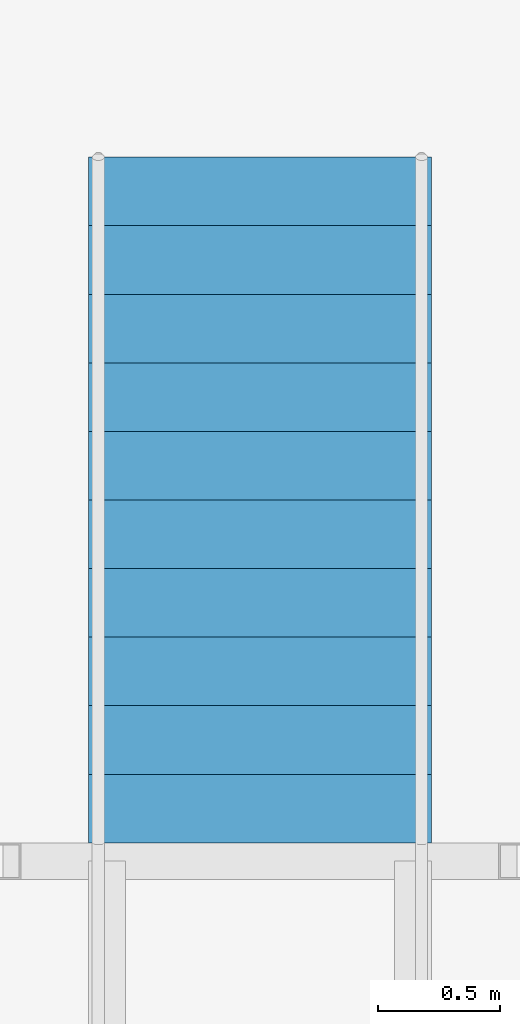
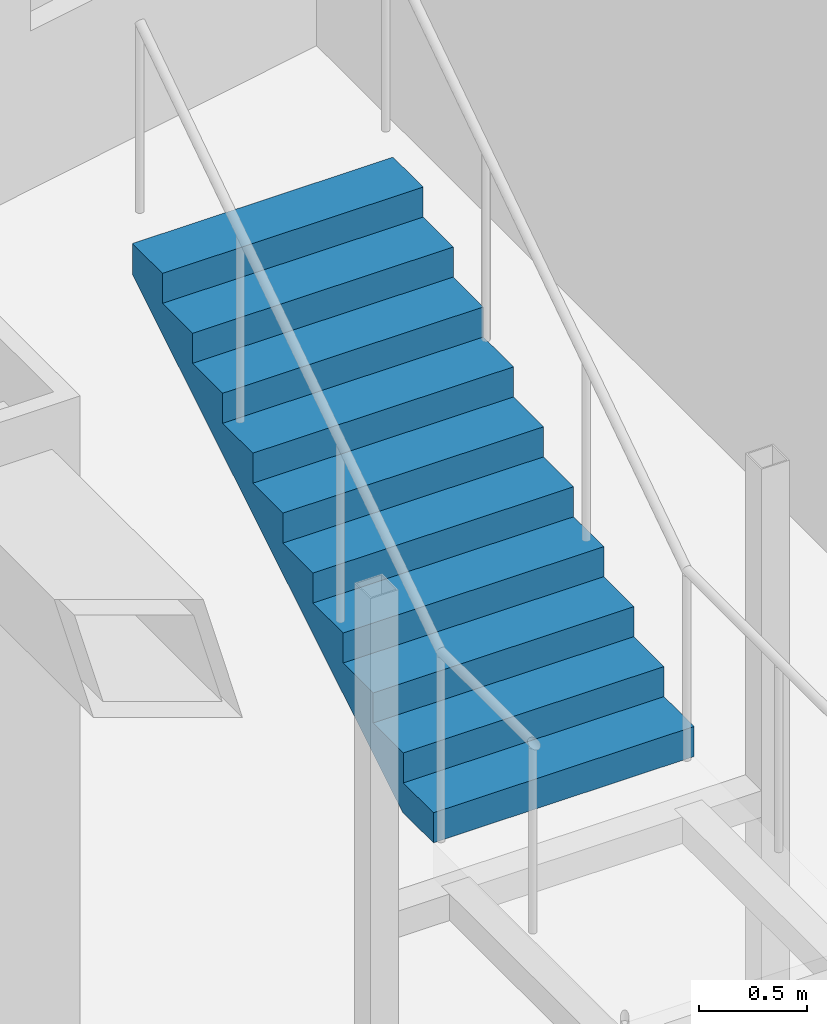
# One storey, part 25 of 26: 1 stair flight, 1 element without a shape of its own.
"""IFC4 building model written with IfcOpenShell, lengths in metres."""

from ifc_helpers import new_model, si_unit, direction, frame, origin, place, context, subcontext, project, spatial, triangles, material, type_object, element, aggregate, save


model = new_model("IFC4")

# Units and contexts
model_context = context("Model", 3, precision=1e-05, world=origin(), true_north=direction((0.0, 1.0)))
body_context = subcontext(model_context, "Body", "Model", "MODEL_VIEW")
ifc_project = project(units=[si_unit("LENGTHUNIT", "METRE"), si_unit("AREAUNIT", "SQUARE_METRE"), si_unit("VOLUMEUNIT", "CUBIC_METRE"), si_unit("PLANEANGLEUNIT", "RADIAN"), si_unit("MASSUNIT", "GRAM", prefix="KILO")], contexts=[model_context])

# Site, building, storey
site_placement = place(None, origin())
site = spatial("IfcSite", under=ifc_project, at=site_placement, CompositionType="ELEMENT")
building_placement = place(site_placement, origin())
building = spatial("IfcBuilding", under=site, at=building_placement, Name="Orbita Commons", CompositionType="ELEMENT")
storey_placement = place(building_placement, frame((0.0, 0.0, 53.949951171875)))
storey = spatial("IfcBuildingStorey", under=building, at=storey_placement, Name="L13", CompositionType="ELEMENT", Elevation=53.949951171875)

# Stair, stair flight
ifc_material_1 = material(Name="Steel ASTM A992 stringers, precast concrete C40/50 terrazzo treads", Category="concrete")
stair_type = type_object("IfcStairType", Name="Feature stair 22 risers 170 x 280 x 1400", PredefinedType="STRAIGHT_RUN_STAIR", material=ifc_material_1)
stair_placement = place(storey_placement, origin())
stair = element("IfcStair", 1, at=stair_placement, inside=storey, type_object=stair_type, Name="Neighbourhood stair L13 to L14", PredefinedType="STRAIGHT_RUN_STAIR")
ifc_material_2 = material(Name="Steel ASTM A992 stringers, precast concrete C40/50 terrazzo treads", Category="concrete")
stair_flight_type = type_object("IfcStairFlightType", Name="Feature stair flight 11 risers 170 x 1400", PredefinedType="STRAIGHT", material=ifc_material_2)
stair_flight_placement = place(storey_placement, frame((8.10009765625, 48.010009765625, 1.875), z_axis=(0.0, 0.0, 1.0), x_axis=(0.0, 1.0, 0.0)))
stair_flight = element("IfcStairFlight", 2, at=stair_flight_placement, type_object=stair_flight_type, Name="FS flight 2", NumberOfRisers=11, NumberOfTreads=10, PredefinedType="STRAIGHT", RiserHeight=0.170454545, TreadLength=0.28, context=body_context, shape_type="Tessellation", body=[
    triangles([(0.0, 0.699951, 0.0), (0.0, 0.699951, 0.021307), (0.0, 0.583293, 0.021307), (0.0, 0.583293, 0.0), (0.0, 0.466634, 0.021307), (0.0, 0.466634, 0.0), (0.0, 0.349976, 0.021307), (0.0, 0.349976, 0.0), (0.0, 0.233317, 0.021307), (0.0, 0.233317, 0.0), (0.0, 0.116659, 0.021307), (0.0, 0.116659, 0.0), (0.0, 0.0, 0.021307), (0.0, 0.0, 0.0), (0.0, -0.116659, 0.021307), (0.0, -0.116659, 0.0), (0.0, -0.233317, 0.021307), (0.0, -0.233317, 0.0), (0.0, -0.349976, 0.021307), (0.0, -0.349976, 0.0), (0.0, -0.466634, 0.021307), (0.0, -0.466634, 0.0), (0.0, -0.583293, 0.021307), (0.0, -0.583293, 0.0), (0.0, -0.699951, 0.021307), (0.0, -0.699951, 0.0), (0.0, 0.699951, 0.042614), (0.0, 0.583293, 0.042614), (0.0, 0.466634, 0.042614), (0.0, 0.349976, 0.042614), (0.0, 0.233317, 0.042614), (0.0, 0.116659, 0.042614), (0.0, 0.0, 0.042614), (0.0, -0.116659, 0.042614), (0.0, -0.233317, 0.042614), (0.0, -0.349976, 0.042614), (0.0, -0.466634, 0.042614), (0.0, -0.583293, 0.042614), (0.0, -0.699951, 0.042614), (0.0, 0.699951, 0.06392), (0.0, 0.583293, 0.06392), (0.0, 0.466634, 0.06392), (0.0, 0.349976, 0.06392), (0.0, 0.233317, 0.06392), (0.0, 0.116659, 0.06392), (0.0, 0.0, 0.06392), (0.0, -0.116659, 0.06392), (0.0, -0.233317, 0.06392), (0.0, -0.349976, 0.06392), (0.0, -0.466634, 0.06392), (0.0, -0.583293, 0.06392), (0.0, -0.699951, 0.06392), (0.0, 0.699951, 0.085227), (0.0, 0.583293, 0.085227), (0.0, 0.466634, 0.085227), (0.0, 0.349976, 0.085227), (0.0, 0.233317, 0.085227), (0.0, 0.116659, 0.085227), (0.0, 0.0, 0.085227), (0.0, -0.116659, 0.085227), (0.0, -0.233317, 0.085227), (0.0, -0.349976, 0.085227), (0.0, -0.466634, 0.085227), (0.0, -0.583293, 0.085227), (0.0, -0.699951, 0.085227), (0.0, 0.699951, 0.106534), (0.0, 0.583293, 0.106534), (0.0, 0.466634, 0.106534), (0.0, 0.349976, 0.106534), (0.0, 0.233317, 0.106534), (0.0, 0.116659, 0.106534), (0.0, 0.0, 0.106534), (0.0, -0.116659, 0.106534), (0.0, -0.233317, 0.106534), (0.0, -0.349976, 0.106534), (0.0, -0.466634, 0.106534), (0.0, -0.583293, 0.106534), (0.0, -0.699951, 0.106534), (0.0, 0.699951, 0.127841), (0.0, 0.583293, 0.127841), (0.0, 0.466634, 0.127841), (0.0, 0.349976, 0.127841), (0.0, 0.233317, 0.127841), (0.0, 0.116659, 0.127841), (0.0, 0.0, 0.127841), (0.0, -0.116659, 0.127841), (0.0, -0.233317, 0.127841), (0.0, -0.349976, 0.127841), (0.0, -0.466634, 0.127841), (0.0, -0.583293, 0.127841), (0.0, -0.699951, 0.127841), (0.0, 0.699951, 0.149148), (0.0, 0.583293, 0.149148), (0.0, 0.466634, 0.149148), (0.0, 0.349976, 0.149148), (0.0, 0.233317, 0.149148), (0.0, 0.116659, 0.149148), (0.0, 0.0, 0.149148), (0.0, -0.116659, 0.149148), (0.0, -0.233317, 0.149148), (0.0, -0.349976, 0.149148), (0.0, -0.466634, 0.149148), (0.0, -0.583293, 0.149148), (0.0, -0.699951, 0.149148), (0.0, 0.699951, 0.170455), (0.0, 0.583293, 0.170455), (0.0, 0.466634, 0.170455), (0.0, 0.349976, 0.170455), (0.0, 0.233317, 0.170455), (0.0, 0.116659, 0.170455), (0.0, 0.0, 0.170455), (0.0, -0.116659, 0.170455), (0.0, -0.233317, 0.170455), (0.0, -0.349976, 0.170455), (0.0, -0.466634, 0.170455), (0.0, -0.583293, 0.170455), (0.0, -0.699951, 0.170455), (0.28, 0.699951, 0.170455), (0.28, 0.583293, 0.170455), (0.28, 0.466634, 0.170455), (0.28, 0.349976, 0.170455), (0.28, 0.233317, 0.170455), (0.28, 0.116659, 0.170455), (0.28, 0.0, 0.170455), (0.28, -0.116659, 0.170455), (0.28, -0.233317, 0.170455), (0.28, -0.349976, 0.170455), (0.28, -0.466634, 0.170455), (0.28, -0.583293, 0.170455), (0.28, -0.699951, 0.170455), (0.28, 0.699951, 0.340909), (0.28, 0.583293, 0.340909), (0.28, 0.466634, 0.340909), (0.28, 0.349976, 0.340909), (0.28, 0.233317, 0.340909), (0.28, 0.116659, 0.340909), (0.28, 0.0, 0.340909), (0.28, -0.116659, 0.340909), (0.28, -0.233317, 0.340909), (0.28, -0.349976, 0.340909), (0.28, -0.466634, 0.340909), (0.28, -0.583293, 0.340909), (0.28, -0.699951, 0.340909), (0.56, 0.699951, 0.340909), (0.56, 0.583293, 0.340909), (0.56, 0.466634, 0.340909), (0.56, 0.349976, 0.340909), (0.56, 0.233317, 0.340909), (0.56, 0.116659, 0.340909), (0.56, 0.0, 0.340909), (0.56, -0.116659, 0.340909), (0.56, -0.233317, 0.340909), (0.56, -0.349976, 0.340909), (0.56, -0.466634, 0.340909), (0.56, -0.583293, 0.340909), (0.56, -0.699951, 0.340909), (0.56, 0.699951, 0.511364), (0.56, 0.583293, 0.511364), (0.56, 0.466634, 0.511364), (0.56, 0.349976, 0.511364), (0.56, 0.233317, 0.511364), (0.56, 0.116659, 0.511364), (0.56, 0.0, 0.511364), (0.56, -0.116659, 0.511364), (0.56, -0.233317, 0.511364), (0.56, -0.349976, 0.511364), (0.56, -0.466634, 0.511364), (0.56, -0.583293, 0.511364), (0.56, -0.699951, 0.511364), (0.84, 0.699951, 0.511364), (0.84, 0.583293, 0.511364), (0.84, 0.466634, 0.511364), (0.84, 0.349976, 0.511364), (0.84, 0.233317, 0.511364), (0.84, 0.116659, 0.511364), (0.84, 0.0, 0.511364), (0.84, -0.116659, 0.511364), (0.84, -0.233317, 0.511364), (0.84, -0.349976, 0.511364), (0.84, -0.466634, 0.511364), (0.84, -0.583293, 0.511364), (0.84, -0.699951, 0.511364), (0.84, 0.699951, 0.681818), (0.84, 0.583293, 0.681818), (0.84, 0.466634, 0.681818), (0.84, 0.349976, 0.681818), (0.84, 0.233317, 0.681818), (0.84, 0.116659, 0.681818), (0.84, 0.0, 0.681818), (0.84, -0.116659, 0.681818), (0.84, -0.233317, 0.681818), (0.84, -0.349976, 0.681818), (0.84, -0.466634, 0.681818), (0.84, -0.583293, 0.681818), (0.84, -0.699951, 0.681818), (1.12, 0.699951, 0.681818), (1.12, 0.583293, 0.681818), (1.12, 0.466634, 0.681818), (1.12, 0.349976, 0.681818), (1.12, 0.233317, 0.681818), (1.12, 0.116659, 0.681818), (1.12, 0.0, 0.681818), (1.12, -0.116659, 0.681818), (1.12, -0.233317, 0.681818), (1.12, -0.349976, 0.681818), (1.12, -0.466634, 0.681818), (1.12, -0.583293, 0.681818), (1.12, -0.699951, 0.681818), (1.12, 0.699951, 0.852273), (1.12, 0.583293, 0.852273), (1.12, 0.466634, 0.852273), (1.12, 0.349976, 0.852273), (1.12, 0.233317, 0.852273), (1.12, 0.116659, 0.852273), (1.12, 0.0, 0.852273), (1.12, -0.116659, 0.852273), (1.12, -0.233317, 0.852273), (1.12, -0.349976, 0.852273), (1.12, -0.466634, 0.852273), (1.12, -0.583293, 0.852273), (1.12, -0.699951, 0.852273), (1.4, 0.699951, 0.852273), (1.4, 0.583293, 0.852273), (1.4, 0.466634, 0.852273), (1.4, 0.349976, 0.852273), (1.4, 0.233317, 0.852273), (1.4, 0.116659, 0.852273), (1.4, 0.0, 0.852273), (1.4, -0.116659, 0.852273), (1.4, -0.233317, 0.852273), (1.4, -0.349976, 0.852273), (1.4, -0.466634, 0.852273), (1.4, -0.583293, 0.852273), (1.4, -0.699951, 0.852273), (1.4, 0.699951, 1.022727), (1.4, 0.583293, 1.022727), (1.4, 0.466634, 1.022727), (1.4, 0.349976, 1.022727), (1.4, 0.233317, 1.022727), (1.4, 0.116659, 1.022727), (1.4, 0.0, 1.022727), (1.4, -0.116659, 1.022727), (1.4, -0.233317, 1.022727), (1.4, -0.349976, 1.022727), (1.4, -0.466634, 1.022727), (1.4, -0.583293, 1.022727), (1.4, -0.699951, 1.022727), (1.68, 0.699951, 1.022727), (1.68, 0.583293, 1.022727), (1.68, 0.466634, 1.022727), (1.68, 0.349976, 1.022727), (1.68, 0.233317, 1.022727), (1.68, 0.116659, 1.022727), (1.68, 0.0, 1.022727), (1.68, -0.116659, 1.022727), (1.68, -0.233317, 1.022727), (1.68, -0.349976, 1.022727), (1.68, -0.466634, 1.022727), (1.68, -0.583293, 1.022727), (1.68, -0.699951, 1.022727), (1.68, 0.699951, 1.193182), (1.68, 0.583293, 1.193182), (1.68, 0.466634, 1.193182), (1.68, 0.349976, 1.193182), (1.68, 0.233317, 1.193182), (1.68, 0.116659, 1.193182), (1.68, 0.0, 1.193182), (1.68, -0.116659, 1.193182), (1.68, -0.233317, 1.193182), (1.68, -0.349976, 1.193182), (1.68, -0.466634, 1.193182), (1.68, -0.583293, 1.193182), (1.68, -0.699951, 1.193182), (1.96, 0.699951, 1.193182), (1.96, 0.583293, 1.193182), (1.96, 0.466634, 1.193182), (1.96, 0.349976, 1.193182), (1.96, 0.233317, 1.193182), (1.96, 0.116659, 1.193182), (1.96, 0.0, 1.193182), (1.96, -0.116659, 1.193182), (1.96, -0.233317, 1.193182), (1.96, -0.349976, 1.193182), (1.96, -0.466634, 1.193182), (1.96, -0.583293, 1.193182), (1.96, -0.699951, 1.193182), (1.96, 0.699951, 1.363636), (1.96, 0.583293, 1.363636), (1.96, 0.466634, 1.363636), (1.96, 0.349976, 1.363636), (1.96, 0.233317, 1.363636), (1.96, 0.116659, 1.363636), (1.96, 0.0, 1.363636), (1.96, -0.116659, 1.363636), (1.96, -0.233317, 1.363636), (1.96, -0.349976, 1.363636), (1.96, -0.466634, 1.363636), (1.96, -0.583293, 1.363636), (1.96, -0.699951, 1.363636), (2.24, 0.699951, 1.363636), (2.24, 0.583293, 1.363636), (2.24, 0.466634, 1.363636), (2.24, 0.349976, 1.363636), (2.24, 0.233317, 1.363636), (2.24, 0.116659, 1.363636), (2.24, 0.0, 1.363636), (2.24, -0.116659, 1.363636), (2.24, -0.233317, 1.363636), (2.24, -0.349976, 1.363636), (2.24, -0.466634, 1.363636), (2.24, -0.583293, 1.363636), (2.24, -0.699951, 1.363636), (2.24, 0.699951, 1.534091), (2.24, 0.583293, 1.534091), (2.24, 0.466634, 1.534091), (2.24, 0.349976, 1.534091), (2.24, 0.233317, 1.534091), (2.24, 0.116659, 1.534091), (2.24, 0.0, 1.534091), (2.24, -0.116659, 1.534091), (2.24, -0.233317, 1.534091), (2.24, -0.349976, 1.534091), (2.24, -0.466634, 1.534091), (2.24, -0.583293, 1.534091), (2.24, -0.699951, 1.534091), (2.52, 0.699951, 1.534091), (2.52, 0.583293, 1.534091), (2.52, 0.466634, 1.534091), (2.52, 0.349976, 1.534091), (2.52, 0.233317, 1.534091), (2.52, 0.116659, 1.534091), (2.52, 0.0, 1.534091), (2.52, -0.116659, 1.534091), (2.52, -0.233317, 1.534091), (2.52, -0.349976, 1.534091), (2.52, -0.466634, 1.534091), (2.52, -0.583293, 1.534091), (2.52, -0.699951, 1.534091), (2.52, 0.699951, 1.704545), (2.52, 0.583293, 1.704545), (2.52, 0.466634, 1.704545), (2.52, 0.349976, 1.704545), (2.52, 0.233317, 1.704545), (2.52, 0.116659, 1.704545), (2.52, 0.0, 1.704545), (2.52, -0.116659, 1.704545), (2.52, -0.233317, 1.704545), (2.52, -0.349976, 1.704545), (2.52, -0.466634, 1.704545), (2.52, -0.583293, 1.704545), (2.52, -0.699951, 1.704545), (2.8, 0.699951, 1.704545), (2.8, 0.583293, 1.704545), (2.8, 0.466634, 1.704545), (2.8, 0.349976, 1.704545), (2.8, 0.233317, 1.704545), (2.8, 0.116659, 1.704545), (2.8, 0.0, 1.704545), (2.8, -0.116659, 1.704545), (2.8, -0.233317, 1.704545), (2.8, -0.349976, 1.704545), (2.8, -0.466634, 1.704545), (2.8, -0.583293, 1.704545), (2.8, -0.699951, 1.704545), (2.8, 0.699951, 1.682609), (2.8, 0.583293, 1.682609), (2.8, 0.466634, 1.682609), (2.8, 0.349976, 1.682609), (2.8, 0.233317, 1.682609), (2.8, 0.116659, 1.682609), (2.8, 0.0, 1.682609), (2.8, -0.116659, 1.682609), (2.8, -0.233317, 1.682609), (2.8, -0.349976, 1.682609), (2.8, -0.466634, 1.682609), (2.8, -0.583293, 1.682609), (2.8, -0.699951, 1.682609), (2.8, 0.699951, 1.660672), (2.8, 0.583293, 1.660672), (2.8, 0.466634, 1.660672), (2.8, 0.349976, 1.660672), (2.8, 0.233317, 1.660672), (2.8, 0.116659, 1.660672), (2.8, 0.0, 1.660672), (2.8, -0.116659, 1.660672), (2.8, -0.233317, 1.660672), (2.8, -0.349976, 1.660672), (2.8, -0.466634, 1.660672), (2.8, -0.583293, 1.660672), (2.8, -0.699951, 1.660672), (2.8, 0.699951, 1.638735), (2.8, 0.583293, 1.638735), (2.8, 0.466634, 1.638735), (2.8, 0.349976, 1.638735), (2.8, 0.233317, 1.638735), (2.8, 0.116659, 1.638735), (2.8, 0.0, 1.638735), (2.8, -0.116659, 1.638735), (2.8, -0.233317, 1.638735), (2.8, -0.349976, 1.638735), (2.8, -0.466634, 1.638735), (2.8, -0.583293, 1.638735), (2.8, -0.699951, 1.638735), (2.8, 0.699951, 1.616798), (2.8, 0.583293, 1.616798), (2.8, 0.466634, 1.616798), (2.8, 0.349976, 1.616798), (2.8, 0.233317, 1.616798), (2.8, 0.116659, 1.616798), (2.8, 0.0, 1.616798), (2.8, -0.116659, 1.616798), (2.8, -0.233317, 1.616798), (2.8, -0.349976, 1.616798), (2.8, -0.466634, 1.616798), (2.8, -0.583293, 1.616798), (2.8, -0.699951, 1.616798), (2.8, 0.699951, 1.594861), (2.8, 0.583293, 1.594861), (2.8, 0.466634, 1.594861), (2.8, 0.349976, 1.594861), (2.8, 0.233317, 1.594861), (2.8, 0.116659, 1.594861), (2.8, 0.0, 1.594861), (2.8, -0.116659, 1.594861), (2.8, -0.233317, 1.594861), (2.8, -0.349976, 1.594861), (2.8, -0.466634, 1.594861), (2.8, -0.583293, 1.594861), (2.8, -0.699951, 1.594861), (2.8, 0.699951, 1.572925), (2.8, 0.583293, 1.572925), (2.8, 0.466634, 1.572925), (2.8, 0.349976, 1.572925), (2.8, 0.233317, 1.572925), (2.8, 0.116659, 1.572925), (2.8, 0.0, 1.572925), (2.8, -0.116659, 1.572925), (2.8, -0.233317, 1.572925), (2.8, -0.349976, 1.572925), (2.8, -0.466634, 1.572925), (2.8, -0.583293, 1.572925), (2.8, -0.699951, 1.572925), (2.8, 0.699951, 1.550988), (2.8, 0.583293, 1.550988), (2.8, 0.466634, 1.550988), (2.8, 0.349976, 1.550988), (2.8, 0.233317, 1.550988), (2.8, 0.116659, 1.550988), (2.8, 0.0, 1.550988), (2.8, -0.116659, 1.550988), (2.8, -0.233317, 1.550988), (2.8, -0.349976, 1.550988), (2.8, -0.466634, 1.550988), (2.8, -0.583293, 1.550988), (2.8, -0.699951, 1.550988), (2.8, 0.699951, 1.529051), (2.8, 0.583293, 1.529051), (2.8, 0.466634, 1.529051), (2.8, 0.349976, 1.529051), (2.8, 0.233317, 1.529051), (2.8, 0.116659, 1.529051), (2.8, 0.0, 1.529051), (2.8, -0.116659, 1.529051), (2.8, -0.233317, 1.529051), (2.8, -0.349976, 1.529051), (2.8, -0.466634, 1.529051), (2.8, -0.583293, 1.529051), (2.8, -0.699951, 1.529051), (0.288279, 0.699951, 0.0), (0.288279, 0.583293, 0.0), (0.288279, 0.466634, 0.0), (0.288279, 0.349976, 0.0), (0.288279, 0.233317, 0.0), (0.288279, 0.116659, 0.0), (0.288279, 0.0, 0.0), (0.288279, -0.116659, 0.0), (0.288279, -0.233317, 0.0), (0.288279, -0.349976, 0.0), (0.288279, -0.466634, 0.0), (0.288279, -0.583293, 0.0), (0.288279, -0.699951, 0.0)], [[3, 2, 1], [4, 3, 1], [5, 3, 4], [6, 5, 4], [7, 5, 6], [8, 7, 6], [9, 7, 8], [10, 9, 8], [11, 9, 10], [12, 11, 10], [13, 11, 12], [14, 13, 12], [15, 13, 14], [16, 15, 14], [17, 15, 16], [18, 17, 16], [19, 17, 18], [20, 19, 18], [21, 19, 20], [22, 21, 20], [23, 21, 22], [24, 23, 22], [25, 23, 24], [26, 25, 24], [28, 27, 2], [3, 28, 2], [29, 28, 3], [5, 29, 3], [30, 29, 5], [7, 30, 5], [31, 30, 7], [9, 31, 7], [32, 31, 9], [11, 32, 9], [33, 32, 11], [13, 33, 11], [34, 33, 13], [15, 34, 13], [35, 34, 15], [17, 35, 15], [36, 35, 17], [19, 36, 17], [37, 36, 19], [21, 37, 19], [38, 37, 21], [23, 38, 21], [39, 38, 23], [25, 39, 23], [41, 40, 27], [28, 41, 27], [42, 41, 28], [29, 42, 28], [43, 42, 29], [30, 43, 29], [44, 43, 30], [31, 44, 30], [45, 44, 31], [32, 45, 31], [46, 45, 32], [33, 46, 32], [47, 46, 33], [34, 47, 33], [48, 47, 34], [35, 48, 34], [49, 48, 35], [36, 49, 35], [50, 49, 36], [37, 50, 36], [51, 50, 37], [38, 51, 37], [52, 51, 38], [39, 52, 38], [54, 53, 40], [41, 54, 40], [55, 54, 41], [42, 55, 41], [56, 55, 42], [43, 56, 42], [57, 56, 43], [44, 57, 43], [58, 57, 44], [45, 58, 44], [59, 58, 45], [46, 59, 45], [60, 59, 46], [47, 60, 46], [61, 60, 47], [48, 61, 47], [62, 61, 48], [49, 62, 48], [63, 62, 49], [50, 63, 49], [64, 63, 50], [51, 64, 50], [65, 64, 51], [52, 65, 51], [67, 66, 53], [54, 67, 53], [68, 67, 54], [55, 68, 54], [69, 68, 55], [56, 69, 55], [70, 69, 56], [57, 70, 56], [71, 70, 57], [58, 71, 57], [72, 71, 58], [59, 72, 58], [73, 72, 59], [60, 73, 59], [74, 73, 60], [61, 74, 60], [75, 74, 61], [62, 75, 61], [76, 75, 62], [63, 76, 62], [77, 76, 63], [64, 77, 63], [78, 77, 64], [65, 78, 64], [80, 79, 66], [67, 80, 66], [81, 80, 67], [68, 81, 67], [82, 81, 68], [69, 82, 68], [83, 82, 69], [70, 83, 69], [84, 83, 70], [71, 84, 70], [85, 84, 71], [72, 85, 71], [86, 85, 72], [73, 86, 72], [87, 86, 73], [74, 87, 73], [88, 87, 74], [75, 88, 74], [89, 88, 75], [76, 89, 75], [90, 89, 76], [77, 90, 76], [91, 90, 77], [78, 91, 77], [93, 92, 79], [80, 93, 79], [94, 93, 80], [81, 94, 80], [95, 94, 81], [82, 95, 81], [96, 95, 82], [83, 96, 82], [97, 96, 83], [84, 97, 83], [98, 97, 84], [85, 98, 84], [99, 98, 85], [86, 99, 85], [100, 99, 86], [87, 100, 86], [101, 100, 87], [88, 101, 87], [102, 101, 88], [89, 102, 88], [103, 102, 89], [90, 103, 89], [104, 103, 90], [91, 104, 90], [106, 105, 92], [93, 106, 92], [107, 106, 93], [94, 107, 93], [108, 107, 94], [95, 108, 94], [109, 108, 95], [96, 109, 95], [110, 109, 96], [97, 110, 96], [111, 110, 97], [98, 111, 97], [112, 111, 98], [99, 112, 98], [113, 112, 99], [100, 113, 99], [114, 113, 100], [101, 114, 100], [115, 114, 101], [102, 115, 101], [116, 115, 102], [103, 116, 102], [117, 116, 103], [104, 117, 103], [119, 118, 105], [106, 119, 105], [120, 119, 106], [107, 120, 106], [121, 120, 107], [108, 121, 107], [122, 121, 108], [109, 122, 108], [123, 122, 109], [110, 123, 109], [124, 123, 110], [111, 124, 110], [125, 124, 111], [112, 125, 111], [126, 125, 112], [113, 126, 112], [127, 126, 113], [114, 127, 113], [128, 127, 114], [115, 128, 114], [129, 128, 115], [116, 129, 115], [130, 129, 116], [117, 130, 116], [132, 131, 118], [119, 132, 118], [133, 132, 119], [120, 133, 119], [134, 133, 120], [121, 134, 120], [135, 134, 121], [122, 135, 121], [136, 135, 122], [123, 136, 122], [137, 136, 123], [124, 137, 123], [138, 137, 124], [125, 138, 124], [139, 138, 125], [126, 139, 125], [140, 139, 126], [127, 140, 126], [141, 140, 127], [128, 141, 127], [142, 141, 128], [129, 142, 128], [143, 142, 129], [130, 143, 129], [145, 144, 131], [132, 145, 131], [146, 145, 132], [133, 146, 132], [147, 146, 133], [134, 147, 133], [148, 147, 134], [135, 148, 134], [149, 148, 135], [136, 149, 135], [150, 149, 136], [137, 150, 136], [151, 150, 137], [138, 151, 137], [152, 151, 138], [139, 152, 138], [153, 152, 139], [140, 153, 139], [154, 153, 140], [141, 154, 140], [155, 154, 141], [142, 155, 141], [156, 155, 142], [143, 156, 142], [158, 157, 144], [145, 158, 144], [159, 158, 145], [146, 159, 145], [160, 159, 146], [147, 160, 146], [161, 160, 147], [148, 161, 147], [162, 161, 148], [149, 162, 148], [163, 162, 149], [150, 163, 149], [164, 163, 150], [151, 164, 150], [165, 164, 151], [152, 165, 151], [166, 165, 152], [153, 166, 152], [167, 166, 153], [154, 167, 153], [168, 167, 154], [155, 168, 154], [169, 168, 155], [156, 169, 155], [171, 170, 157], [158, 171, 157], [172, 171, 158], [159, 172, 158], [173, 172, 159], [160, 173, 159], [174, 173, 160], [161, 174, 160], [175, 174, 161], [162, 175, 161], [176, 175, 162], [163, 176, 162], [177, 176, 163], [164, 177, 163], [178, 177, 164], [165, 178, 164], [179, 178, 165], [166, 179, 165], [180, 179, 166], [167, 180, 166], [181, 180, 167], [168, 181, 167], [182, 181, 168], [169, 182, 168], [184, 183, 170], [171, 184, 170], [185, 184, 171], [172, 185, 171], [186, 185, 172], [173, 186, 172], [187, 186, 173], [174, 187, 173], [188, 187, 174], [175, 188, 174], [189, 188, 175], [176, 189, 175], [190, 189, 176], [177, 190, 176], [191, 190, 177], [178, 191, 177], [192, 191, 178], [179, 192, 178], [193, 192, 179], [180, 193, 179], [194, 193, 180], [181, 194, 180], [195, 194, 181], [182, 195, 181], [197, 196, 183], [184, 197, 183], [198, 197, 184], [185, 198, 184], [199, 198, 185], [186, 199, 185], [200, 199, 186], [187, 200, 186], [201, 200, 187], [188, 201, 187], [202, 201, 188], [189, 202, 188], [203, 202, 189], [190, 203, 189], [204, 203, 190], [191, 204, 190], [205, 204, 191], [192, 205, 191], [206, 205, 192], [193, 206, 192], [207, 206, 193], [194, 207, 193], [208, 207, 194], [195, 208, 194], [210, 209, 196], [197, 210, 196], [211, 210, 197], [198, 211, 197], [212, 211, 198], [199, 212, 198], [213, 212, 199], [200, 213, 199], [214, 213, 200], [201, 214, 200], [215, 214, 201], [202, 215, 201], [216, 215, 202], [203, 216, 202], [217, 216, 203], [204, 217, 203], [218, 217, 204], [205, 218, 204], [219, 218, 205], [206, 219, 205], [220, 219, 206], [207, 220, 206], [221, 220, 207], [208, 221, 207], [223, 222, 209], [210, 223, 209], [224, 223, 210], [211, 224, 210], [225, 224, 211], [212, 225, 211], [226, 225, 212], [213, 226, 212], [227, 226, 213], [214, 227, 213], [228, 227, 214], [215, 228, 214], [229, 228, 215], [216, 229, 215], [230, 229, 216], [217, 230, 216], [231, 230, 217], [218, 231, 217], [232, 231, 218], [219, 232, 218], [233, 232, 219], [220, 233, 219], [234, 233, 220], [221, 234, 220], [236, 235, 222], [223, 236, 222], [237, 236, 223], [224, 237, 223], [238, 237, 224], [225, 238, 224], [239, 238, 225], [226, 239, 225], [240, 239, 226], [227, 240, 226], [241, 240, 227], [228, 241, 227], [242, 241, 228], [229, 242, 228], [243, 242, 229], [230, 243, 229], [244, 243, 230], [231, 244, 230], [245, 244, 231], [232, 245, 231], [246, 245, 232], [233, 246, 232], [247, 246, 233], [234, 247, 233], [249, 248, 235], [236, 249, 235], [250, 249, 236], [237, 250, 236], [251, 250, 237], [238, 251, 237], [252, 251, 238], [239, 252, 238], [253, 252, 239], [240, 253, 239], [254, 253, 240], [241, 254, 240], [255, 254, 241], [242, 255, 241], [256, 255, 242], [243, 256, 242], [257, 256, 243], [244, 257, 243], [258, 257, 244], [245, 258, 244], [259, 258, 245], [246, 259, 245], [260, 259, 246], [247, 260, 246], [262, 261, 248], [249, 262, 248], [263, 262, 249], [250, 263, 249], [264, 263, 250], [251, 264, 250], [265, 264, 251], [252, 265, 251], [266, 265, 252], [253, 266, 252], [267, 266, 253], [254, 267, 253], [268, 267, 254], [255, 268, 254], [269, 268, 255], [256, 269, 255], [270, 269, 256], [257, 270, 256], [271, 270, 257], [258, 271, 257], [272, 271, 258], [259, 272, 258], [273, 272, 259], [260, 273, 259], [275, 274, 261], [262, 275, 261], [276, 275, 262], [263, 276, 262], [277, 276, 263], [264, 277, 263], [278, 277, 264], [265, 278, 264], [279, 278, 265], [266, 279, 265], [280, 279, 266], [267, 280, 266], [281, 280, 267], [268, 281, 267], [282, 281, 268], [269, 282, 268], [283, 282, 269], [270, 283, 269], [284, 283, 270], [271, 284, 270], [285, 284, 271], [272, 285, 271], [286, 285, 272], [273, 286, 272], [288, 287, 274], [275, 288, 274], [289, 288, 275], [276, 289, 275], [290, 289, 276], [277, 290, 276], [291, 290, 277], [278, 291, 277], [292, 291, 278], [279, 292, 278], [293, 292, 279], [280, 293, 279], [294, 293, 280], [281, 294, 280], [295, 294, 281], [282, 295, 281], [296, 295, 282], [283, 296, 282], [297, 296, 283], [284, 297, 283], [298, 297, 284], [285, 298, 284], [299, 298, 285], [286, 299, 285], [301, 300, 287], [288, 301, 287], [302, 301, 288], [289, 302, 288], [303, 302, 289], [290, 303, 289], [304, 303, 290], [291, 304, 290], [305, 304, 291], [292, 305, 291], [306, 305, 292], [293, 306, 292], [307, 306, 293], [294, 307, 293], [308, 307, 294], [295, 308, 294], [309, 308, 295], [296, 309, 295], [310, 309, 296], [297, 310, 296], [311, 310, 297], [298, 311, 297], [312, 311, 298], [299, 312, 298], [314, 313, 300], [301, 314, 300], [315, 314, 301], [302, 315, 301], [316, 315, 302], [303, 316, 302], [317, 316, 303], [304, 317, 303], [318, 317, 304], [305, 318, 304], [319, 318, 305], [306, 319, 305], [320, 319, 306], [307, 320, 306], [321, 320, 307], [308, 321, 307], [322, 321, 308], [309, 322, 308], [323, 322, 309], [310, 323, 309], [324, 323, 310], [311, 324, 310], [325, 324, 311], [312, 325, 311], [327, 326, 313], [314, 327, 313], [328, 327, 314], [315, 328, 314], [329, 328, 315], [316, 329, 315], [330, 329, 316], [317, 330, 316], [331, 330, 317], [318, 331, 317], [332, 331, 318], [319, 332, 318], [333, 332, 319], [320, 333, 319], [334, 333, 320], [321, 334, 320], [335, 334, 321], [322, 335, 321], [336, 335, 322], [323, 336, 322], [337, 336, 323], [324, 337, 323], [338, 337, 324], [325, 338, 324], [340, 339, 326], [327, 340, 326], [341, 340, 327], [328, 341, 327], [342, 341, 328], [329, 342, 328], [343, 342, 329], [330, 343, 329], [344, 343, 330], [331, 344, 330], [345, 344, 331], [332, 345, 331], [346, 345, 332], [333, 346, 332], [347, 346, 333], [334, 347, 333], [348, 347, 334], [335, 348, 334], [349, 348, 335], [336, 349, 335], [350, 349, 336], [337, 350, 336], [351, 350, 337], [338, 351, 337], [353, 352, 339], [340, 353, 339], [354, 353, 340], [341, 354, 340], [355, 354, 341], [342, 355, 341], [356, 355, 342], [343, 356, 342], [357, 356, 343], [344, 357, 343], [358, 357, 344], [345, 358, 344], [359, 358, 345], [346, 359, 345], [360, 359, 346], [347, 360, 346], [361, 360, 347], [348, 361, 347], [362, 361, 348], [349, 362, 348], [363, 362, 349], [350, 363, 349], [364, 363, 350], [351, 364, 350], [366, 365, 352], [353, 366, 352], [367, 366, 353], [354, 367, 353], [368, 367, 354], [355, 368, 354], [369, 368, 355], [356, 369, 355], [370, 369, 356], [357, 370, 356], [371, 370, 357], [358, 371, 357], [372, 371, 358], [359, 372, 358], [373, 372, 359], [360, 373, 359], [374, 373, 360], [361, 374, 360], [375, 374, 361], [362, 375, 361], [376, 375, 362], [363, 376, 362], [377, 376, 363], [364, 377, 363], [379, 378, 365], [366, 379, 365], [380, 379, 366], [367, 380, 366], [381, 380, 367], [368, 381, 367], [382, 381, 368], [369, 382, 368], [383, 382, 369], [370, 383, 369], [384, 383, 370], [371, 384, 370], [385, 384, 371], [372, 385, 371], [386, 385, 372], [373, 386, 372], [387, 386, 373], [374, 387, 373], [388, 387, 374], [375, 388, 374], [389, 388, 375], [376, 389, 375], [390, 389, 376], [377, 390, 376], [392, 391, 378], [379, 392, 378], [393, 392, 379], [380, 393, 379], [394, 393, 380], [381, 394, 380], [395, 394, 381], [382, 395, 381], [396, 395, 382], [383, 396, 382], [397, 396, 383], [384, 397, 383], [398, 397, 384], [385, 398, 384], [399, 398, 385], [386, 399, 385], [400, 399, 386], [387, 400, 386], [401, 400, 387], [388, 401, 387], [402, 401, 388], [389, 402, 388], [403, 402, 389], [390, 403, 389], [405, 404, 391], [392, 405, 391], [406, 405, 392], [393, 406, 392], [407, 406, 393], [394, 407, 393], [408, 407, 394], [395, 408, 394], [409, 408, 395], [396, 409, 395], [410, 409, 396], [397, 410, 396], [411, 410, 397], [398, 411, 397], [412, 411, 398], [399, 412, 398], [413, 412, 399], [400, 413, 399], [414, 413, 400], [401, 414, 400], [415, 414, 401], [402, 415, 401], [416, 415, 402], [403, 416, 402], [418, 417, 404], [405, 418, 404], [419, 418, 405], [406, 419, 405], [420, 419, 406], [407, 420, 406], [421, 420, 407], [408, 421, 407], [422, 421, 408], [409, 422, 408], [423, 422, 409], [410, 423, 409], [424, 423, 410], [411, 424, 410], [425, 424, 411], [412, 425, 411], [426, 425, 412], [413, 426, 412], [427, 426, 413], [414, 427, 413], [428, 427, 414], [415, 428, 414], [429, 428, 415], [416, 429, 415], [431, 430, 417], [418, 431, 417], [432, 431, 418], [419, 432, 418], [433, 432, 419], [420, 433, 419], [434, 433, 420], [421, 434, 420], [435, 434, 421], [422, 435, 421], [436, 435, 422], [423, 436, 422], [437, 436, 423], [424, 437, 423], [438, 437, 424], [425, 438, 424], [439, 438, 425], [426, 439, 425], [440, 439, 426], [427, 440, 426], [441, 440, 427], [428, 441, 427], [442, 441, 428], [429, 442, 428], [444, 443, 430], [431, 444, 430], [445, 444, 431], [432, 445, 431], [446, 445, 432], [433, 446, 432], [447, 446, 433], [434, 447, 433], [448, 447, 434], [435, 448, 434], [449, 448, 435], [436, 449, 435], [450, 449, 436], [437, 450, 436], [451, 450, 437], [438, 451, 437], [452, 451, 438], [439, 452, 438], [453, 452, 439], [440, 453, 439], [454, 453, 440], [441, 454, 440], [455, 454, 441], [442, 455, 441], [457, 456, 443], [444, 457, 443], [458, 457, 444], [445, 458, 444], [459, 458, 445], [446, 459, 445], [460, 459, 446], [447, 460, 446], [461, 460, 447], [448, 461, 447], [462, 461, 448], [449, 462, 448], [463, 462, 449], [450, 463, 449], [464, 463, 450], [451, 464, 450], [465, 464, 451], [452, 465, 451], [466, 465, 452], [453, 466, 452], [467, 466, 453], [454, 467, 453], [468, 467, 454], [455, 468, 454], [470, 469, 456], [457, 470, 456], [471, 470, 457], [458, 471, 457], [472, 471, 458], [459, 472, 458], [473, 472, 459], [460, 473, 459], [474, 473, 460], [461, 474, 460], [475, 474, 461], [462, 475, 461], [476, 475, 462], [463, 476, 462], [477, 476, 463], [464, 477, 463], [478, 477, 464], [465, 478, 464], [479, 478, 465], [466, 479, 465], [480, 479, 466], [467, 480, 466], [481, 480, 467], [468, 481, 467], [4, 1, 469], [470, 4, 469], [6, 4, 470], [471, 6, 470], [8, 6, 471], [472, 8, 471], [10, 8, 472], [473, 10, 472], [12, 10, 473], [474, 12, 473], [14, 12, 474], [475, 14, 474], [16, 14, 475], [476, 16, 475], [18, 16, 476], [477, 18, 476], [20, 18, 477], [478, 20, 477], [22, 20, 478], [479, 22, 478], [24, 22, 479], [480, 24, 479], [26, 24, 480], [481, 26, 480], [456, 469, 1], [26, 481, 468], [443, 456, 1], [26, 468, 455], [430, 443, 1], [26, 455, 442], [417, 430, 1], [26, 442, 429], [404, 417, 1], [26, 429, 416], [391, 404, 1], [26, 416, 403], [378, 391, 1], [26, 403, 390], [365, 378, 1], [26, 390, 377], [339, 352, 365], [377, 364, 351], [326, 339, 365], [377, 351, 338], [300, 313, 326], [338, 325, 312], [300, 326, 365], [377, 338, 312], [274, 287, 300], [312, 299, 286], [274, 300, 365], [377, 312, 286], [248, 261, 274], [286, 273, 260], [248, 274, 365], [377, 286, 260], [222, 235, 248], [260, 247, 234], [222, 248, 365], [377, 260, 234], [196, 209, 222], [234, 221, 208], [196, 222, 365], [377, 234, 208], [170, 183, 196], [208, 195, 182], [170, 196, 365], [377, 208, 182], [144, 157, 170], [182, 169, 156], [144, 170, 365], [377, 182, 156], [118, 131, 144], [156, 143, 130], [118, 144, 365], [377, 156, 130], [118, 365, 1], [26, 377, 130], [92, 105, 118], [130, 117, 104], [79, 92, 118], [130, 104, 91], [66, 79, 118], [130, 91, 78], [53, 66, 118], [130, 78, 65], [40, 53, 118], [130, 65, 52], [27, 40, 118], [130, 52, 39], [2, 27, 118], [130, 39, 25], [1, 2, 118], [130, 25, 26]], closed=True),
])
aggregate(stair, [stair_flight])

save(model, "model.ifc")
